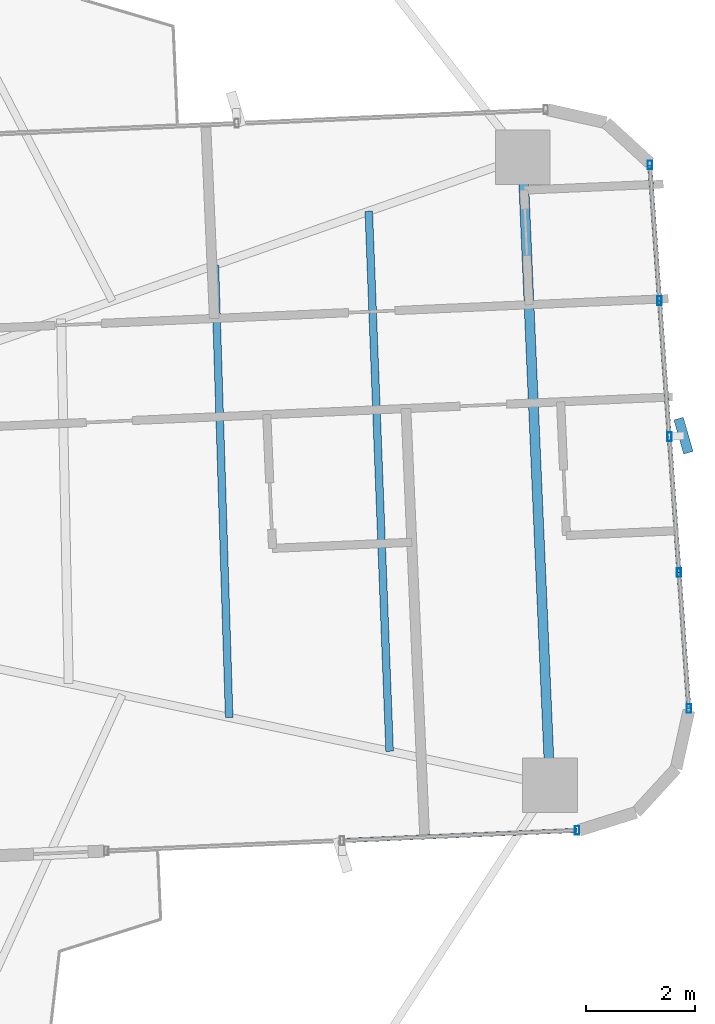
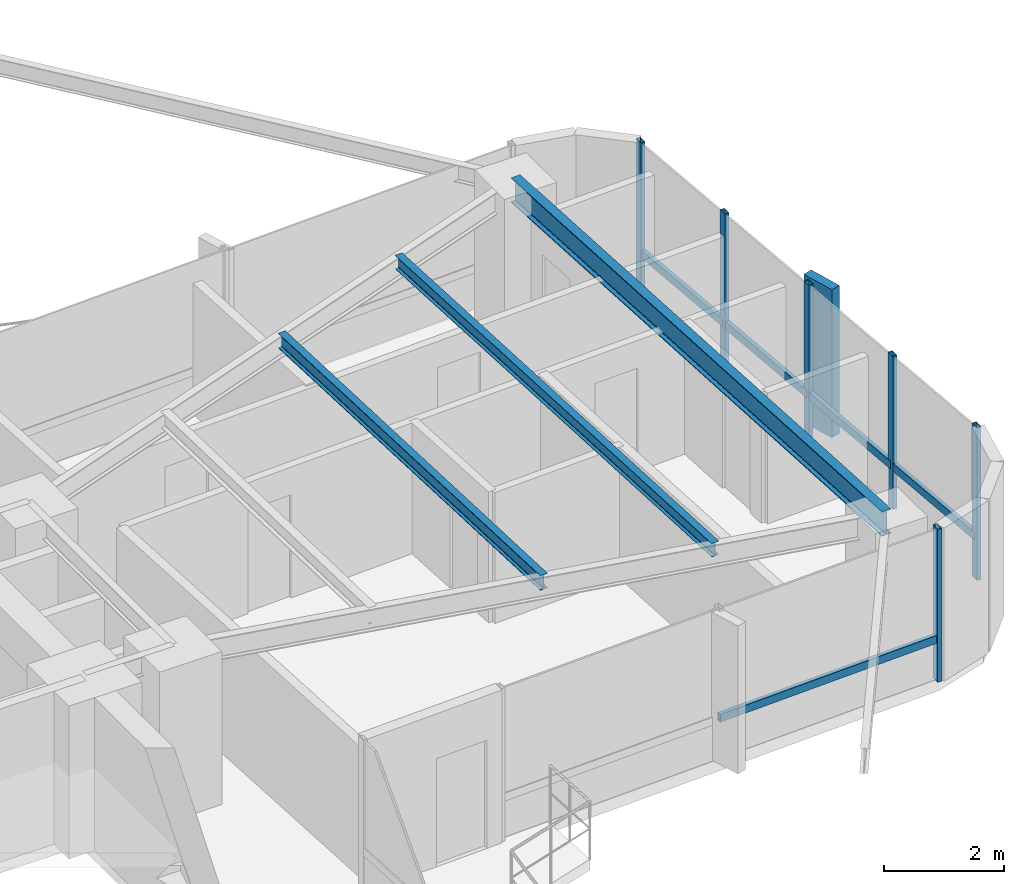
# One storey, part 15 of 26: 12 members, 3 beams, 2 elements without a shape of their own.
"""IFC4 building model written with IfcOpenShell, lengths in metres."""

from ifc_helpers import new_model, si_unit, direction, frame, origin, origin_2d, place, context, subcontext, project, spatial, rectangle, hollow_rectangle, i_section, extrude, source, transform, mapped, material, material_profile, profile_set, type_object, element, aggregate, save


model = new_model("IFC4")

# Units and contexts
model_context = context("Model", 3, precision=1e-05, world=origin(), true_north=direction((0.0, 1.0)))
body_context = subcontext(model_context, "Body", "Model", "MODEL_VIEW")
ifc_project = project(units=[si_unit("LENGTHUNIT", "METRE"), si_unit("AREAUNIT", "SQUARE_METRE"), si_unit("VOLUMEUNIT", "CUBIC_METRE"), si_unit("PLANEANGLEUNIT", "RADIAN"), si_unit("MASSUNIT", "GRAM", prefix="KILO")], contexts=[model_context])

# Site, building, storey
site_placement = place(None, origin())
site = spatial("IfcSite", under=ifc_project, at=site_placement, CompositionType="ELEMENT")
building_placement = place(site_placement, origin())
building = spatial("IfcBuilding", under=site, at=building_placement, Name="Sahyath Konkavel Grand Hotel", CompositionType="ELEMENT")
storey_placement = place(building_placement, frame((0.0, 0.0, 128.199951171875)))
storey = spatial("IfcBuildingStorey", under=building, at=storey_placement, Name="L35", CompositionType="ELEMENT", Elevation=128.199951171875)

# Beams
ifc_material_1 = material(Name="Steel E350", Category="steel")
ifc_material_profile_1 = material_profile(ifc_material_1, i_section(OverallWidth=0.179931640625, OverallDepth=0.5, WebThickness=0.01025390625, FlangeThickness=0.01708984375, FilletRadius=0.01708984375, at=origin_2d()), Name="ISMB 500")
ifc_profile_set_1 = profile_set([ifc_material_profile_1], Name="Steel E350")
beam_type_1 = type_object("IfcBeamType", Name="BM-ISMB500", PredefinedType="BEAM", material=ifc_profile_set_1)
shared_shape_1 = source(origin(), body_context, "Body", "SweptSolid", [
    extrude(i_section(OverallWidth=0.179931640625, OverallDepth=0.5, WebThickness=0.01025390625, FlangeThickness=0.01708984375, FilletRadius=0.01708984375, at=origin_2d()), origin(), (0.0, 0.0, 1.0), 11.5),
])
beam_1_placement = place(storey_placement, frame((17.734130859375, -4.981201171875, 2.860107421875), z_axis=(-0.043627008892, 0.99904788879, 0.0), x_axis=(-0.99904788879, -0.043627008892, 0.0)))
element("IfcBeam", 1, at=beam_1_placement, inside=storey, type_object=beam_type_1, Name="L35 Wing Tip Edge Beam E", PredefinedType="BEAM", context=body_context, shape_type="MappedRepresentation", body=[
    mapped(shared_shape_1, transform((0.0, 0.0, 0.0), scale=1.0)),
])
ifc_material_profile_2 = material_profile(ifc_material_1, i_section(OverallWidth=0.139892578125, OverallDepth=0.300048828125, WebThickness=0.0078125, FlangeThickness=0.01318359375, FilletRadius=0.013916015625, at=origin_2d()), Name="ISMB 300")
ifc_profile_set_2 = profile_set([ifc_material_profile_2], Name="Steel E350")
beam_type_2 = type_object("IfcBeamType", Name="BM-ISMB300", PredefinedType="BEAM", material=ifc_profile_set_2)
shared_shape_2 = source(origin(), body_context, "Body", "SweptSolid", [
    extrude(i_section(OverallWidth=0.139892578125, OverallDepth=0.300048828125, WebThickness=0.0078125, FlangeThickness=0.01318359375, FilletRadius=0.013916015625, at=origin_2d()), origin(), (0.0, 0.0, 1.0), 8.282470703125),
])
beam_2_placement = place(storey_placement, frame((11.86181640625, -3.7421875, 2.9599609375), z_axis=(-0.031510827707, 0.999503410568, 0.0), x_axis=(-0.999503410568, -0.031510827707, 0.0)))
element("IfcBeam", 2, at=beam_2_placement, inside=storey, type_object=beam_type_2, Name="L35 Secondary Floor Beam E-2", PredefinedType="BEAM", context=body_context, shape_type="MappedRepresentation", body=[
    mapped(shared_shape_2, transform((0.0, 0.0, 0.0), scale=1.0)),
])
ifc_material_profile_3 = material_profile(ifc_material_1, i_section(OverallWidth=0.139892578125, OverallDepth=0.27490234375, WebThickness=0.00634765625, FlangeThickness=0.0087890625, FilletRadius=0.012939453125, at=origin_2d()), Name="ISLB 275")
ifc_profile_set_3 = profile_set([ifc_material_profile_3], Name="Steel E350")
beam_type_3 = type_object("IfcBeamType", Name="BM-ISLB275", PredefinedType="BEAM", material=ifc_profile_set_3)
shared_shape_3 = source(origin(), body_context, "Body", "SweptSolid", [
    extrude(i_section(OverallWidth=0.139892578125, OverallDepth=0.27490234375, WebThickness=0.00634765625, FlangeThickness=0.0087890625, FilletRadius=0.012939453125, at=origin_2d()), origin(), (0.0, 0.0, 1.0), 9.89111328125),
])
beam_3_placement = place(storey_placement, frame((14.798095703125, -4.36181640625, 2.97265625), z_axis=(-0.03855445741, 0.999256500511, 0.0), x_axis=(-0.999256500511, -0.03855445741, 0.0)))
element("IfcBeam", 3, at=beam_3_placement, inside=storey, type_object=beam_type_3, Name="L35 Secondary Floor Beam E-3", PredefinedType="BEAM", context=body_context, shape_type="MappedRepresentation", body=[
    mapped(shared_shape_3, transform((0.0, 0.0, 0.0), scale=1.0)),
])

# Curtain wall, member
ifc_material_2 = material(Name="Anodised Bronze Aluminium & Low-E Glazing", Category="aluminium")
curtain_wall_type = type_object("IfcCurtainWallType", Name="CW-ZONE2", PredefinedType="NOTDEFINED", material=ifc_material_2)
curtain_wall_1_placement = place(storey_placement, origin())
curtain_wall_1 = element("IfcCurtainWall", 4, at=curtain_wall_1_placement, inside=storey, type_object=curtain_wall_type, Name="L35 Unitised Curtain Wall F4", PredefinedType="NOTDEFINED")
ifc_material_3 = material(Name="Warm Buff Sandstone Cladding on Concrete C50/60", Category="masonry")
ifc_material_profile_4 = material_profile(ifc_material_3, rectangle(XDim=0.179931640625, YDim=0.64990234375, at=origin_2d()), Name="FIN 180x650")
ifc_profile_set_4 = profile_set([ifc_material_profile_4], Name="Warm Buff Sandstone Cladding on Concrete C50/60")
member_type_1 = type_object("IfcMemberType", Name="FIN-SANDSTONE-650", PredefinedType="MULLION", material=ifc_profile_set_4)
shared_shape_4 = source(origin(), body_context, "Body", "SweptSolid", [
    extrude(rectangle(XDim=0.179931640625, YDim=0.64990234375, at=origin_2d()), origin(), (0.0, 0.0, 1.0), 3.010009765625),
])
member_1_placement = place(storey_placement, frame((20.1767578125, 1.413818359375, 0.050048828125), z_axis=(0.0, 0.0, 1.0), x_axis=(0.961069030524, 0.276308375854, 0.0)))
member_1 = element("IfcMember", 5, at=member_1_placement, type_object=member_type_1, Name="L35 Sandstone Vertical Solar Fin FIN F4-2", PredefinedType="MULLION", context=body_context, shape_type="MappedRepresentation", body=[
    mapped(shared_shape_4, transform((0.0, 0.0, 0.0), scale=1.0)),
])

curtain_wall_2_placement = place(storey_placement, origin())
curtain_wall_2 = element("IfcCurtainWall", 6, at=curtain_wall_2_placement, inside=storey, type_object=curtain_wall_type, Name="L35 Unitised Curtain Wall F0", PredefinedType="NOTDEFINED")
ifc_material_4 = material(Name="Anodised Bronze Aluminium", Category="aluminium")
ifc_material_profile_5 = material_profile(ifc_material_4, hollow_rectangle(XDim=0.080078125, YDim=0.159912109375, WallThickness=0.006103515625, at=origin_2d()), Name="RHS 160x80x6")
ifc_profile_set_5 = profile_set([ifc_material_profile_5], Name="Anodised Bronze Aluminium")
member_type_2 = type_object("IfcMemberType", Name="CW-MUL-160", PredefinedType="MULLION", material=ifc_profile_set_5)
shared_shape_5 = source(origin(), body_context, "Body", "SweptSolid", [
    extrude(hollow_rectangle(XDim=0.080078125, YDim=0.159912109375, WallThickness=0.006103515625, at=origin_2d()), origin(), (0.0, 0.0, 1.0), 3.110107421875),
])
member_2_placement = place(storey_placement, frame((18.230712890625, -5.810302734375, 0.0), z_axis=(0.0, 0.0, 1.0), x_axis=(1.0, 0.0, 0.0)))
member_2 = element("IfcMember", 7, at=member_2_placement, type_object=member_type_2, Name="L35 Curtain Wall Mullion F0-2", PredefinedType="MULLION", context=body_context, shape_type="MappedRepresentation", body=[
    mapped(shared_shape_5, transform((0.0, 0.0, 0.0), scale=1.0)),
])

# Member
member_3_placement = place(storey_placement, frame((20.2744140625, -3.5791015625, 0.0), z_axis=(0.0, 0.0, 1.0), x_axis=(1.0, 0.0, 0.0)))
member_3 = element("IfcMember", 8, at=member_3_placement, type_object=member_type_2, Name="L35 Curtain Wall Mullion F4-0", PredefinedType="MULLION", context=body_context, shape_type="MappedRepresentation", body=[
    mapped(shared_shape_5, transform((0.0, 0.0, 0.0), scale=1.0)),
])

member_4_placement = place(storey_placement, frame((20.095947265625, -1.092041015625, 0.0), z_axis=(0.0, 0.0, 1.0), x_axis=(1.0, 0.0, 0.0)))
member_4 = element("IfcMember", 9, at=member_4_placement, type_object=member_type_2, Name="L35 Curtain Wall Mullion F4-1", PredefinedType="MULLION", context=body_context, shape_type="MappedRepresentation", body=[
    mapped(shared_shape_5, transform((0.0, 0.0, 0.0), scale=1.0)),
])

member_5_placement = place(storey_placement, frame((19.91748046875, 1.39501953125, 0.0), z_axis=(0.0, 0.0, 1.0), x_axis=(1.0, 0.0, 0.0)))
member_5 = element("IfcMember", 10, at=member_5_placement, type_object=member_type_2, Name="L35 Curtain Wall Mullion F4-2", PredefinedType="MULLION", context=body_context, shape_type="MappedRepresentation", body=[
    mapped(shared_shape_5, transform((0.0, 0.0, 0.0), scale=1.0)),
])

member_6_placement = place(storey_placement, frame((19.739013671875, 3.882080078125, 0.0), z_axis=(0.0, 0.0, 1.0), x_axis=(1.0, 0.0, 0.0)))
member_6 = element("IfcMember", 11, at=member_6_placement, type_object=member_type_2, Name="L35 Curtain Wall Mullion F4-3", PredefinedType="MULLION", context=body_context, shape_type="MappedRepresentation", body=[
    mapped(shared_shape_5, transform((0.0, 0.0, 0.0), scale=1.0)),
])

member_7_placement = place(storey_placement, frame((19.560546875, 6.369384765625, 0.0), z_axis=(0.0, 0.0, 1.0), x_axis=(1.0, 0.0, 0.0)))
member_7 = element("IfcMember", 12, at=member_7_placement, type_object=member_type_2, Name="L35 Curtain Wall Mullion F4-4", PredefinedType="MULLION", context=body_context, shape_type="MappedRepresentation", body=[
    mapped(shared_shape_5, transform((0.0, 0.0, 0.0), scale=1.0)),
])

ifc_material_profile_6 = material_profile(ifc_material_4, hollow_rectangle(XDim=0.080078125, YDim=0.159912109375, WallThickness=0.006103515625, at=origin_2d()), Name="RHS 160x80x6")
ifc_profile_set_6 = profile_set([ifc_material_profile_6], Name="Anodised Bronze Aluminium")
member_type_3 = type_object("IfcMemberType", Name="CW-TRN-160", PredefinedType="USERDEFINED", material=ifc_profile_set_6)
shared_shape_6 = source(origin(), body_context, "Body", "SweptSolid", [
    extrude(hollow_rectangle(XDim=0.080078125, YDim=0.159912109375, WallThickness=0.006103515625, at=origin_2d()), origin(), (0.0, 0.0, 1.0), 4.31005859375),
])
member_8_placement = place(storey_placement, frame((13.9248046875, -5.998291015625, 0.85009765625), z_axis=(0.999048340188, 0.043616670746, 0.0), x_axis=(-0.043616670746, 0.999048340188, 0.0)))
member_8 = element("IfcMember", 13, at=member_8_placement, type_object=member_type_3, Name="L35 Curtain Wall Transom F0-1-spandrel", ObjectType="TRANSOM", PredefinedType="USERDEFINED", context=body_context, shape_type="MappedRepresentation", body=[
    mapped(shared_shape_6, transform((0.0, 0.0, 0.0), scale=1.0)),
])

aggregate(curtain_wall_2, [member_2, member_8])

shared_shape_7 = source(origin(), body_context, "Body", "SweptSolid", [
    extrude(hollow_rectangle(XDim=0.080078125, YDim=0.159912109375, WallThickness=0.006103515625, at=origin_2d()), origin(), (0.0, 0.0, 1.0), 2.493408203125),
])
member_9_placement = place(storey_placement, frame((20.2744140625, -3.5791015625, 0.85009765625), z_axis=(-0.071574084062, 0.997435286367, 0.0), x_axis=(-0.997435286367, -0.071574084062, 0.0)))
member_9 = element("IfcMember", 14, at=member_9_placement, type_object=member_type_3, Name="L35 Curtain Wall Transom F4-0-spandrel", ObjectType="TRANSOM", PredefinedType="USERDEFINED", context=body_context, shape_type="MappedRepresentation", body=[
    mapped(shared_shape_7, transform((0.0, 0.0, 0.0), scale=1.0)),
])

member_10_placement = place(storey_placement, frame((20.095947265625, -1.092041015625, 0.85009765625), z_axis=(-0.071574084062, 0.997435286367, 0.0), x_axis=(-0.997435286367, -0.071574084062, 0.0)))
member_10 = element("IfcMember", 15, at=member_10_placement, type_object=member_type_3, Name="L35 Curtain Wall Transom F4-1-spandrel", ObjectType="TRANSOM", PredefinedType="USERDEFINED", context=body_context, shape_type="MappedRepresentation", body=[
    mapped(shared_shape_7, transform((0.0, 0.0, 0.0), scale=1.0)),
])

member_11_placement = place(storey_placement, frame((19.91748046875, 1.39501953125, 0.85009765625), z_axis=(-0.071574084062, 0.997435286367, 0.0), x_axis=(-0.997435286367, -0.071574084062, 0.0)))
member_11 = element("IfcMember", 16, at=member_11_placement, type_object=member_type_3, Name="L35 Curtain Wall Transom F4-2-spandrel", ObjectType="TRANSOM", PredefinedType="USERDEFINED", context=body_context, shape_type="MappedRepresentation", body=[
    mapped(shared_shape_7, transform((0.0, 0.0, 0.0), scale=1.0)),
])

shared_shape_8 = source(origin(), body_context, "Body", "SweptSolid", [
    extrude(hollow_rectangle(XDim=0.080078125, YDim=0.159912109375, WallThickness=0.006103515625, at=origin_2d()), origin(), (0.0, 0.0, 1.0), 2.49365234375),
])
member_12_placement = place(storey_placement, frame((19.739013671875, 3.882080078125, 0.85009765625), z_axis=(-0.071567094714, 0.997435787885, 0.0), x_axis=(-0.997435787885, -0.071567094714, 0.0)))
member_12 = element("IfcMember", 17, at=member_12_placement, type_object=member_type_3, Name="L35 Curtain Wall Transom F4-3-spandrel", ObjectType="TRANSOM", PredefinedType="USERDEFINED", context=body_context, shape_type="MappedRepresentation", body=[
    mapped(shared_shape_8, transform((0.0, 0.0, 0.0), scale=1.0)),
])

aggregate(curtain_wall_1, [member_3, member_4, member_5, member_1, member_6, member_7, member_9, member_10, member_11, member_12])

save(model, "model.ifc")
